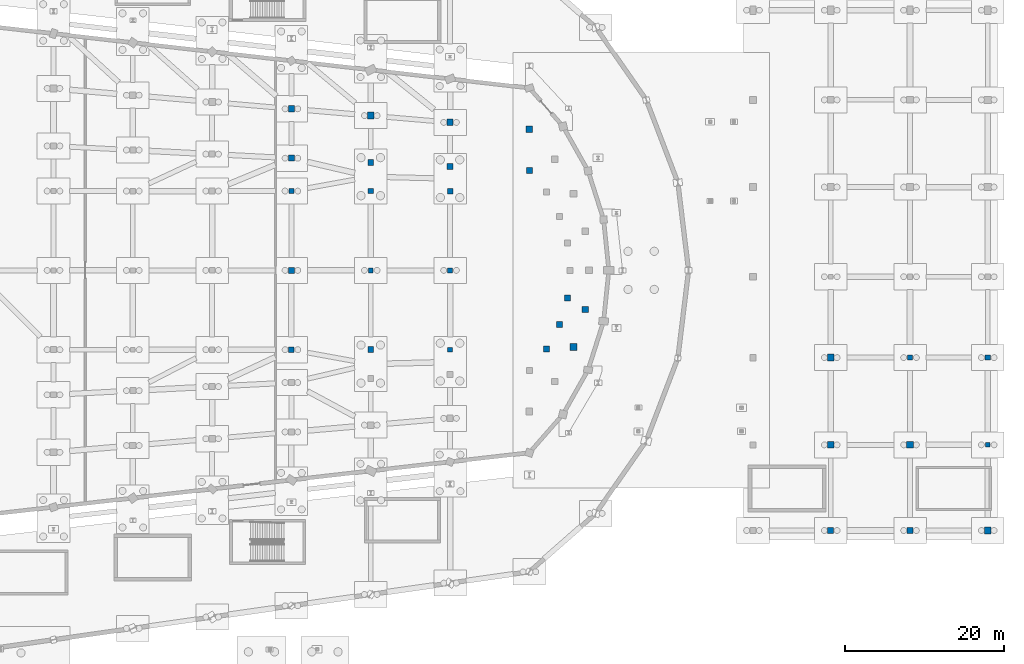
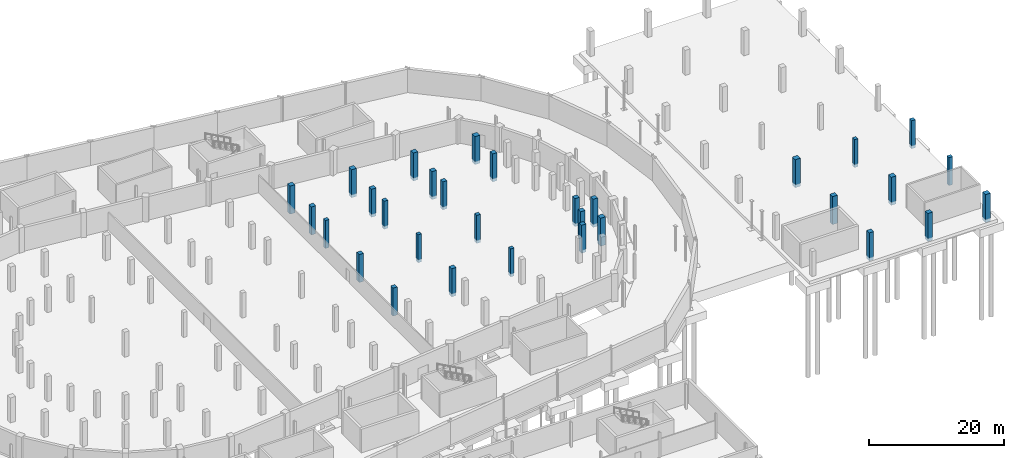
# One storey, part 29 of 55: 31 columns.
"""IFC4 building model written with IfcOpenShell, lengths in metres."""

import ifcopenshell
import ifcopenshell.guid

model = None  # the IFC model being written
_history = None  # IfcOwnerHistory: only IFC2X3 demands one
_inside = {}  # id of a spatial element -> (the spatial element, [elements in it])
_under = {}  # id of a project, library or spatial element -> (it, [spatial elements below it])
_declared = {}  # id of a project -> (the project, [libraries it declares])
_typed = {}  # id of a type object -> (the type object, [elements of that type])
_made_of = {}  # id of a material, layer set ... -> (it, [elements and type objects made of it])


def new_model(schema):
    """Start an empty IFC model of exactly this schema.

    Asked for "IFC4X3", IfcOpenShell would pick the latest addendum, in which some entities
    have other attributes; the version numbers below select the first issue.
    IFC2X3 requires an IfcOwnerHistory on every rooted entity: one is made here for all.
    """
    global model, _history
    if schema == "IFC4X3":
        model = ifcopenshell.file(schema_version=(4, 3, 0, 0))
    else:
        model = ifcopenshell.file(schema=schema)
    _inside.clear()
    _under.clear()
    _declared.clear()
    _typed.clear()
    _made_of.clear()
    _history = None
    if model.schema == "IFC2X3":
        org = make("IfcOrganization", Name="unknown")
        user = make(
            "IfcPersonAndOrganization",
            ThePerson=make("IfcPerson", FamilyName="unknown"),
            TheOrganization=org,
        )
        app = make(
            "IfcApplication",
            ApplicationDeveloper=org,
            Version="unknown",
            ApplicationFullName="unknown",
            ApplicationIdentifier="unknown",
        )
        _history = make(
            "IfcOwnerHistory",
            OwningUser=user,
            OwningApplication=app,
            ChangeAction="ADDED",
            CreationDate=0,
        )
    return model


def make(cls, **values):
    """One entity of the class cls with the attributes given. An attribute that is None is left unset."""
    return model.create_entity(
        cls, **{name: value for name, value in values.items() if value is not None}
    )


def rooted(cls, **values):
    """An entity with a GlobalId (a new one), such as an element, a storey or a relation."""
    return make(cls, GlobalId=ifcopenshell.guid.new(), OwnerHistory=_history, **values)


def si_unit(unit_type, name, prefix=None):
    """IfcSIUnit, for example si_unit("LENGTHUNIT", "METRE", prefix="MILLI")."""
    return make("IfcSIUnit", UnitType=unit_type, Prefix=prefix, Name=name)


def assignment(units):
    """IfcUnitAssignment: the units of a project."""
    return None if units is None else make("IfcUnitAssignment", Units=units)


def point(xyz):
    """IfcCartesianPoint."""
    return None if xyz is None else make("IfcCartesianPoint", Coordinates=xyz)


def direction(xyz):
    """IfcDirection."""
    return None if xyz is None else make("IfcDirection", DirectionRatios=xyz)


def frame(location, z_axis=None, x_axis=None):
    """IfcAxis2Placement3D, a coordinate frame: its origin and axes. An axis left out is left unset."""
    return make(
        "IfcAxis2Placement3D",
        Location=point(location),
        Axis=direction(z_axis),
        RefDirection=direction(x_axis),
    )


def frame_2d(location, x_axis=None):
    """IfcAxis2Placement2D, a coordinate frame in the plane: its origin and x axis."""
    return make(
        "IfcAxis2Placement2D", Location=point(location), RefDirection=direction(x_axis)
    )


def origin():
    """The frame at (0, 0, 0) with its axes left unset."""
    return frame((0.0, 0.0, 0.0))


def origin_2d():
    """The frame at (0, 0) in the plane with its x axis left unset."""
    return frame_2d((0.0, 0.0))


def place(relative_to, where):
    """IfcLocalPlacement: puts the frame where relative to a parent placement (None: the world)."""
    return make(
        "IfcLocalPlacement", PlacementRelTo=relative_to, RelativePlacement=where
    )


def context(
    kind, dimensions, precision=None, world=None, true_north=None, identifier=None
):
    """IfcGeometricRepresentationContext, for example the 3D "Model" context."""
    return make(
        "IfcGeometricRepresentationContext",
        ContextIdentifier=identifier,
        ContextType=kind,
        CoordinateSpaceDimension=dimensions,
        Precision=precision,
        WorldCoordinateSystem=world,
        TrueNorth=true_north,
    )


def subcontext(parent, identifier, kind, view, scale=None):
    """IfcGeometricRepresentationSubContext, for example "Body" below "Model"."""
    return make(
        "IfcGeometricRepresentationSubContext",
        ContextIdentifier=identifier,
        ContextType=kind,
        ParentContext=parent,
        TargetScale=scale,
        TargetView=view,
    )


def project(units=None, contexts=None):
    """IfcProject with its units and contexts."""
    return rooted(
        "IfcProject",
        Name="project",
        RepresentationContexts=contexts,
        UnitsInContext=assignment(units),
    )


def spatial(cls, under=None, at=None, **own):
    """A site, building, storey or space (cls), placed at a placement, below another one or the project."""
    s = rooted(cls, ObjectPlacement=at, **own)
    if under is not None:
        _under.setdefault(under.id(), (under, []))[1].append(s)
    return s


def profile(cls, at=None, kind="AREA", **sizes):
    """A parametric profile (cls). Its sizes go by their IFC names, for example OverallWidth=200.0."""
    return make(cls, ProfileType=kind, Position=at, **sizes)


def rectangle(**sizes):
    """IfcRectangleProfileDef."""
    return profile("IfcRectangleProfileDef", **sizes)


def extrude(swept, where, along, depth):
    """IfcExtrudedAreaSolid: the profile swept, set in the frame where, extruded along a direction by depth."""
    return make(
        "IfcExtrudedAreaSolid",
        SweptArea=swept,
        Position=where,
        ExtrudedDirection=direction(along),
        Depth=depth,
    )


def shape(context_of_items, identifier, shape_type, items):
    """IfcShapeRepresentation: the items that make up one representation, for example the "Body"."""
    return make(
        "IfcShapeRepresentation",
        ContextOfItems=context_of_items,
        RepresentationIdentifier=identifier,
        RepresentationType=shape_type,
        Items=items,
    )


def material(Name=None, Category=None):
    """IfcMaterial."""
    return make("IfcMaterial", Name=Name, Category=Category)


def material_profile(
    of_material, cross_section, Name=None, Category=None, Priority=None
):
    """IfcMaterialProfile: a cross section and its material."""
    return make(
        "IfcMaterialProfile",
        Name=Name,
        Material=of_material,
        Profile=cross_section,
        Priority=Priority,
        Category=Category,
    )


def profile_set(profiles, Name=None, composite=None):
    """IfcMaterialProfileSet."""
    return make(
        "IfcMaterialProfileSet",
        Name=Name,
        MaterialProfiles=profiles,
        CompositeProfile=composite,
    )


def made_of(thing, what):
    """Note that an element or type object is made of a material, layer set ...; save() writes the relation."""
    if what is not None:
        _made_of.setdefault(what.id(), (what, []))[1].append(thing)
    return thing


def type_object(cls, material=None, **own):
    """A type object (cls), such as IfcWallType, which elements share."""
    return made_of(rooted(cls, **own), material)


def element(
    cls,
    number,
    at=None,
    inside=None,
    cuts=None,
    type_object=None,
    material=None,
    context=None,
    identifier="Body",
    shape_type=None,
    held_by="IfcProductDefinitionShape",
    body=None,
    shapes=None,
    **own,
):
    """One element of the class cls, such as IfcWall. Its Tag is "e" and its number.

    at: its placement. inside: the storey or other place that contains it. cuts: it is an
    opening in that element (IfcRelVoidsElement). A single representation is given by context,
    identifier, shape_type and body (its items); several are given by shapes. held_by: the class
    of the entity that holds the representations. save() writes the other relations.
    """
    e = rooted(cls, Tag="e%d" % number, ObjectPlacement=at, **own)
    if body is not None:
        shapes = [shape(context, identifier, shape_type, body)]
    if shapes is not None:
        e.Representation = make(held_by, Representations=shapes)
    if inside is not None:
        _inside.setdefault(inside.id(), (inside, []))[1].append(e)
    if cuts is not None:
        rooted(
            "IfcRelVoidsElement", RelatingBuildingElement=cuts, RelatedOpeningElement=e
        )
    if type_object is not None:
        _typed.setdefault(type_object.id(), (type_object, []))[1].append(e)
    return made_of(e, material)


def aggregate(whole, parts):
    """IfcRelAggregates: a whole, such as a stair, and the parts it consists of."""
    return rooted("IfcRelAggregates", RelatingObject=whole, RelatedObjects=parts)


def save(model, path):
    """Write the relations noted so far, then the file.

    IfcRelAggregates (storeys below a building ...), IfcRelContainedInSpatialStructure (elements
    in a storey), IfcRelDefinesByType, IfcRelAssociatesMaterial and IfcRelDeclares: one each for
    every whole, place, type object, material and project.
    """
    for whole, parts in _under.values():
        aggregate(whole, parts)
    for where, things in _inside.values():
        rooted(
            "IfcRelContainedInSpatialStructure",
            RelatedElements=things,
            RelatingStructure=where,
        )
    for kind, things in _typed.values():
        rooted("IfcRelDefinesByType", RelatedObjects=things, RelatingType=kind)
    for what, things in _made_of.values():
        rooted("IfcRelAssociatesMaterial", RelatedObjects=things, RelatingMaterial=what)
    for by, libraries in _declared.values():
        rooted("IfcRelDeclares", RelatingContext=by, RelatedDefinitions=libraries)
    model.write(path)


model = new_model("IFC4")

# Units and contexts
model_context = context("Model", 3, precision=1e-05, world=origin(), true_north=direction((0.0, 1.0)))
body_context = subcontext(model_context, "Body", "Model", "MODEL_VIEW")
ifc_project = project(units=[si_unit("LENGTHUNIT", "METRE"), si_unit("AREAUNIT", "SQUARE_METRE"), si_unit("VOLUMEUNIT", "CUBIC_METRE"), si_unit("PLANEANGLEUNIT", "RADIAN"), si_unit("MASSUNIT", "GRAM", prefix="KILO")], contexts=[model_context])

# Site, building, storey
site_placement = place(None, origin())
site = spatial("IfcSite", under=ifc_project, at=site_placement, CompositionType="ELEMENT")
building_placement = place(site_placement, origin())
building = spatial("IfcBuilding", under=site, at=building_placement, Name="Sohan Crest Arena", CompositionType="ELEMENT")
storey_placement = place(building_placement, frame((0.0, 0.0, -4.5)))
storey = spatial("IfcBuildingStorey", under=building, at=storey_placement, Name="B1", CompositionType="ELEMENT", Elevation=-4.5)

# Columns
ifc_material = material(Name="Concrete C40/50", Category="concrete")
ifc_material_profile_1 = material_profile(ifc_material, rectangle(XDim=0.60009765625, YDim=0.60009765625, at=origin_2d()), Name="RC 600x600")
ifc_profile_set_1 = profile_set([ifc_material_profile_1], Name="Concrete C40/50")
column_type_1 = type_object("IfcColumnType", Name="STR-COL-C01", PredefinedType="COLUMN", material=ifc_profile_set_1)
for number, where, z_axis, x_axis, name in (
    (1, (138.0, 88.0, -0.550048828125), (0.0, 0.0, 1.0), (1.0, 0.0, 0.0), "Structural column COL-V1E-53-B1"),
    (2, (148.0, 78.0, -0.550048828125), (0.0, 0.0, 1.0), (1.0, 0.0, 0.0), "Structural column COL-V1E-62-B1"),
    (3, (158.0, 68.0, -0.550048828125), (0.0, 0.0, 1.0), (1.0, 0.0, 0.0), "Structural column COL-V1E-71-B1"),
    (4, (216.0, 67.0, -0.550048828125), (0.0, 0.0, 1.0), (1.0, 0.0, 0.0), "Structural column COL-V4S-33-B1"),
    (5, (225.800048828125, 56.0, -0.550048828125), (0.0, 0.0, 1.0), (1.0, 0.0, 0.0), "Structural column COL-V4S-42-B1"),
):
    element("IfcColumn", number, at=place(storey_placement, frame(where, z_axis=z_axis, x_axis=x_axis)), inside=storey, type_object=column_type_1, Name=name, PredefinedType="COLUMN", context=body_context, shape_type="SweptSolid", body=[
        extrude(rectangle(XDim=0.60009765625, YDim=0.60009765625, at=origin_2d()), origin(), (0.0, 0.0, 1.0), 5.050048828125),
    ])
ifc_material_profile_2 = material_profile(ifc_material, rectangle(XDim=0.64990234375, YDim=0.64990234375, at=origin_2d()), Name="RC 650x650")
ifc_profile_set_2 = profile_set([ifc_material_profile_2], Name="Concrete C40/50")
column_type_2 = type_object("IfcColumnType", Name="STR-COL-C02", PredefinedType="COLUMN", material=ifc_profile_set_2)
for number, where, z_axis, x_axis, name in (
    (6, (148.0, 88.0, -0.550048828125), (0.0, 0.0, 1.0), (1.0, 0.0, 0.0), "Structural column COL-V1E-63-B1"),
    (7, (158.0, 78.0, -0.550048828125), (0.0, 0.0, 1.0), (1.0, 0.0, 0.0), "Structural column COL-V1E-72-B1"),
    (8, (225.800048828125, 67.0, -0.550048828125), (0.0, 0.0, 1.0), (1.0, 0.0, 0.0), "Structural column COL-V4S-43-B1"),
):
    element("IfcColumn", number, at=place(storey_placement, frame(where, z_axis=z_axis, x_axis=x_axis)), inside=storey, type_object=column_type_2, Name=name, PredefinedType="COLUMN", context=body_context, shape_type="SweptSolid", body=[
        extrude(rectangle(XDim=0.64990234375, YDim=0.64990234375, at=origin_2d()), origin(), (0.0, 0.0, 1.0), 5.050048828125),
    ])
ifc_material_profile_3 = material_profile(ifc_material, rectangle(XDim=0.699951171875, YDim=0.699951171875, at=origin_2d()), Name="RC 700x700")
ifc_profile_set_3 = profile_set([ifc_material_profile_3], Name="Concrete C40/50")
column_type_3 = type_object("IfcColumnType", Name="STR-COL-C03", PredefinedType="COLUMN", material=ifc_profile_set_3)
for number, where, z_axis, x_axis, name in (
    (9, (138.0, 68.0, -0.550048828125), (0.0, 0.0, 1.0), (1.0, 0.0, 0.0), "Structural column COL-V1E-51-B1"),
    (10, (158.0, 88.0, -0.550048828125), (0.0, 0.0, 1.0), (1.0, 0.0, 0.0), "Structural column COL-V1E-73-B1"),
):
    element("IfcColumn", number, at=place(storey_placement, frame(where, z_axis=z_axis, x_axis=x_axis)), inside=storey, type_object=column_type_3, Name=name, PredefinedType="COLUMN", context=body_context, shape_type="SweptSolid", body=[
        extrude(rectangle(XDim=0.699951171875, YDim=0.699951171875, at=origin_2d()), origin(), (0.0, 0.0, 1.0), 5.050048828125),
    ])
ifc_material_profile_4 = material_profile(ifc_material, rectangle(XDim=0.75, YDim=0.75, at=origin_2d()), Name="RC 750x750")
ifc_profile_set_4 = profile_set([ifc_material_profile_4], Name="Concrete C40/50")
column_type_4 = type_object("IfcColumnType", Name="STR-COL-C04", PredefinedType="COLUMN", material=ifc_profile_set_4)
for number, where, z_axis, x_axis, name in (
    (11, (170.18603515625, 68.112060546875, -0.550048828125), (0.0, 0.0, 1.0), (1.0, 0.0, 0.0), "Structural column COL-V1I-21-B1"),
    (12, (171.80908203125, 71.195068359375, -0.550048828125), (0.0, 0.0, 1.0), (1.0, 0.0, 0.0), "Structural column COL-V1I-22-B1"),
    (13, (172.80810546875, 74.532958984375, -0.550048828125), (0.0, 0.0, 1.0), (1.0, 0.0, 0.0), "Structural column COL-V1I-23-B1"),
    (14, (168.0, 90.60009765625, -0.550048828125), (0.0, 0.0, 1.0), (1.0, 0.0, 0.0), "Structural column COL-V1I-28-B1"),
    (15, (158.0, 91.114013671875, -0.550048828125), (0.0, 0.0, 1.0), (1.0, 0.0, 0.0), "Structural column COL-V1I-29-B1"),
    (16, (148.0, 91.62890625, -0.550048828125), (0.0, 0.0, 1.0), (1.0, 0.0, 0.0), "Structural column COL-V1I-30-B1"),
    (17, (138.0, 92.14306640625, -0.550048828125), (0.0, 0.0, 1.0), (1.0, 0.0, 0.0), "Structural column COL-V1I-31-B1"),
    (18, (138.0, 78.0, -0.550048828125), (0.0, 0.0, 1.0), (1.0, 0.0, 0.0), "Structural column COL-V1E-52-B1"),
    (19, (148.0, 68.0, -0.550048828125), (0.0, 0.0, 1.0), (1.0, 0.0, 0.0), "Structural column COL-V1E-61-B1"),
    (20, (206.0, 45.199951171875, -0.550048828125), (0.0, 0.0, 1.0), (1.0, 0.0, 0.0), "Structural column COL-V4S-21-B1"),
):
    element("IfcColumn", number, at=place(storey_placement, frame(where, z_axis=z_axis, x_axis=x_axis)), inside=storey, type_object=column_type_4, Name=name, PredefinedType="COLUMN", context=body_context, shape_type="SweptSolid", body=[
        extrude(rectangle(XDim=0.75, YDim=0.75, at=origin_2d()), origin(), (0.0, 0.0, 1.0), 5.050048828125),
    ])
ifc_material_profile_5 = material_profile(ifc_material, rectangle(XDim=0.800048828125, YDim=0.800048828125, at=origin_2d()), Name="RC 800x800")
ifc_profile_set_5 = profile_set([ifc_material_profile_5], Name="Concrete C40/50")
column_type_5 = type_object("IfcColumnType", Name="STR-COL-C05", PredefinedType="COLUMN", material=ifc_profile_set_5)
for number, where, z_axis, x_axis, name in (
    (21, (175.037109375, 73.070068359375, -0.550048828125), (0.0, 0.0, 1.0), (1.0, 0.0, 0.0), "Structural column COL-V1M-23-B1"),
    (22, (158.0, 96.656982421875, -0.550048828125), (0.0, 0.0, 1.0), (1.0, 0.0, 0.0), "Structural column COL-V1M-29-B1"),
    (23, (138.0, 98.37109375, -0.550048828125), (0.0, 0.0, 1.0), (1.0, 0.0, 0.0), "Structural column COL-V1M-31-B1"),
    (24, (206.0, 56.0, -0.550048828125), (0.0, 0.0, 1.0), (1.0, 0.0, 0.0), "Structural column COL-V4S-22-B1"),
    (25, (216.0, 45.199951171875, -0.550048828125), (0.0, 0.0, 1.0), (1.0, 0.0, 0.0), "Structural column COL-V4S-31-B1"),
):
    element("IfcColumn", number, at=place(storey_placement, frame(where, z_axis=z_axis, x_axis=x_axis)), inside=storey, type_object=column_type_5, Name=name, PredefinedType="COLUMN", context=body_context, shape_type="SweptSolid", body=[
        extrude(rectangle(XDim=0.800048828125, YDim=0.800048828125, at=origin_2d()), origin(), (0.0, 0.0, 1.0), 5.050048828125),
    ])
ifc_material_profile_6 = material_profile(ifc_material, rectangle(XDim=0.85009765625, YDim=0.85009765625, at=origin_2d()), Name="RC 850x850")
ifc_profile_set_6 = profile_set([ifc_material_profile_6], Name="Concrete C40/50")
column_type_6 = type_object("IfcColumnType", Name="STR-COL-C06", PredefinedType="COLUMN", material=ifc_profile_set_6)
for number, where, z_axis, x_axis, name in (
    (26, (173.571044921875, 68.3359375, -0.550048828125), (0.0, 0.0, 1.0), (1.0, 0.0, 0.0), "Structural column COL-V1M-22-B1"),
    (27, (168.0, 95.800048828125, -0.550048828125), (0.0, 0.0, 1.0), (1.0, 0.0, 0.0), "Structural column COL-V1M-28-B1"),
    (28, (148.0, 97.513916015625, -0.550048828125), (0.0, 0.0, 1.0), (1.0, 0.0, 0.0), "Structural column COL-V1M-30-B1"),
    (29, (206.0, 67.0, -0.550048828125), (0.0, 0.0, 1.0), (1.0, 0.0, 0.0), "Structural column COL-V4S-23-B1"),
    (30, (216.0, 56.0, -0.550048828125), (0.0, 0.0, 1.0), (1.0, 0.0, 0.0), "Structural column COL-V4S-32-B1"),
    (31, (225.800048828125, 45.199951171875, -0.550048828125), (0.0, 0.0, 1.0), (1.0, 0.0, 0.0), "Structural column COL-V4S-41-B1"),
):
    element("IfcColumn", number, at=place(storey_placement, frame(where, z_axis=z_axis, x_axis=x_axis)), inside=storey, type_object=column_type_6, Name=name, PredefinedType="COLUMN", context=body_context, shape_type="SweptSolid", body=[
        extrude(rectangle(XDim=0.85009765625, YDim=0.85009765625, at=origin_2d()), origin(), (0.0, 0.0, 1.0), 5.050048828125),
    ])

save(model, "model.ifc")
